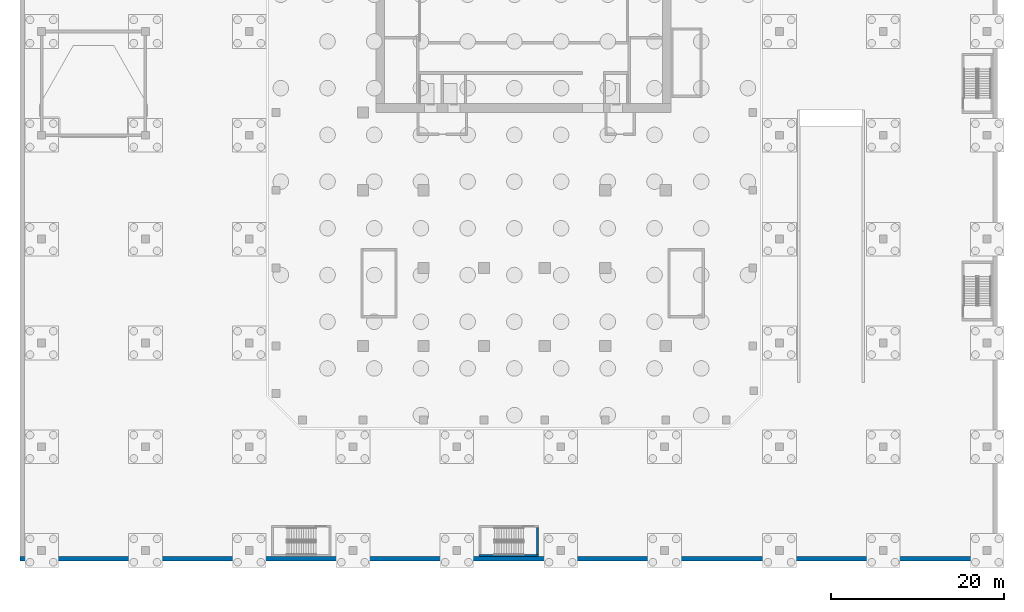
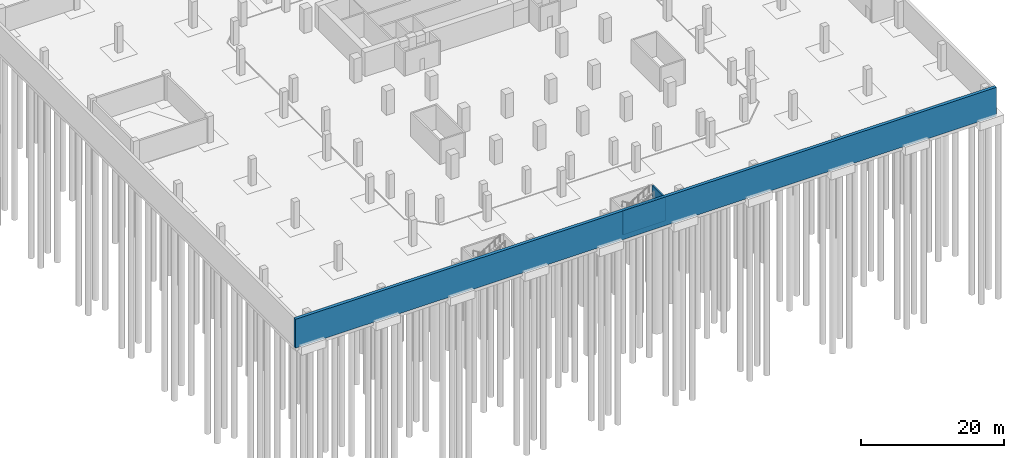
# One storey, part 6 of 15: 3 walls.
"""IFC4 building model written with IfcOpenShell, lengths in metres."""

from ifc_helpers import new_model, si_unit, direction, frame, frame_2d, origin, place, context, subcontext, project, spatial, rectangle, extrude, source, transform, mapped, material, layer, layer_set, type_object, element, save


model = new_model("IFC4")

# Units and contexts
model_context = context("Model", 3, precision=1e-05, world=origin(), true_north=direction((0.0, 1.0)))
body_context = subcontext(model_context, "Body", "Model", "MODEL_VIEW")
ifc_project = project(units=[si_unit("LENGTHUNIT", "METRE"), si_unit("AREAUNIT", "SQUARE_METRE"), si_unit("VOLUMEUNIT", "CUBIC_METRE"), si_unit("PLANEANGLEUNIT", "RADIAN"), si_unit("MASSUNIT", "GRAM", prefix="KILO")], contexts=[model_context])

# Site, building, storey
site_placement = place(None, origin())
site = spatial("IfcSite", under=ifc_project, at=site_placement, CompositionType="ELEMENT")
building_placement = place(site_placement, origin())
building = spatial("IfcBuilding", under=site, at=building_placement, Name="Kilnfold Tower and Market Hall", CompositionType="ELEMENT")
storey_placement = place(building_placement, frame((0.0, 0.0, -9.0)))
storey = spatial("IfcBuildingStorey", under=building, at=storey_placement, Name="B2", CompositionType="ELEMENT", Elevation=-9.0)

# Walls
ifc_material_1 = material(Name="Concrete C40/50", Category="concrete")
ifc_layer_1 = layer(ifc_material_1, 0.5)
ifc_layer_set_1 = layer_set([ifc_layer_1], Name="Concrete C40/50")
wall_type_1 = type_object("IfcWallType", Name="BASEMENT RETAINING WALL 500", PredefinedType="SOLIDWALL", material=ifc_layer_set_1)
shared_shape_1 = source(origin(), body_context, "Body", "SweptSolid", [
    extrude(rectangle(XDim=113.0, YDim=0.5, at=frame_2d((56.5, 0.0))), origin(), (0.0, 0.0, 1.0), 4.89990234375),
])
wall_1_placement = place(storey_placement, frame((-57.14990234375, -43.60009765625, -0.39990234375), z_axis=(0.0, 0.0, 1.0), x_axis=(1.0, 0.0, 0.0)))
element("IfcWall", 1, at=wall_1_placement, inside=storey, type_object=wall_type_1, Name="Retaining wall B2 south", PredefinedType="SOLIDWALL", context=body_context, shape_type="MappedRepresentation", body=[
    mapped(shared_shape_1, transform((0.0, 0.0, 0.0))),
])
ifc_material_2 = material(Name="Concrete C50/60", Category="concrete")
ifc_layer_2 = layer(ifc_material_2, 0.25)
ifc_layer_set_2 = layer_set([ifc_layer_2], Name="Concrete C50/60")
wall_type_2 = type_object("IfcWallType", Name="CAR PARK STAIR WALL 250", PredefinedType="SHEAR", material=ifc_layer_set_2)
shared_shape_2 = source(origin(), body_context, "Body", "SweptSolid", [
    extrude(rectangle(XDim=6.900146484375, YDim=0.25, at=frame_2d((3.4501953125, 0.0))), origin(), (0.0, 0.0, 1.0), 4.10009765625),
])
wall_2_placement = place(storey_placement, frame((-4.10009765625, -43.22509765625, 0.0), z_axis=(0.0, 0.0, 1.0), x_axis=(1.0, 0.0, 0.0)))
element("IfcWall", 2, at=wall_2_placement, inside=storey, type_object=wall_type_2, Name="Stair CS2 wall south", PredefinedType="SHEAR", context=body_context, shape_type="MappedRepresentation", body=[
    mapped(shared_shape_2, transform((0.0, 0.0, 0.0))),
])
shared_shape_3 = source(origin(), body_context, "Body", "SweptSolid", [
    extrude(rectangle(XDim=3.10009765625, YDim=0.25, at=frame_2d((1.550048828125, 0.0))), origin(), (0.0, 0.0, 1.0), 4.10009765625),
])
wall_3_placement = place(storey_placement, frame((2.675048828125, -43.10009765625, 0.0), z_axis=(0.0, 0.0, 1.0), x_axis=(0.0, 1.0, 0.0)))
element("IfcWall", 3, at=wall_3_placement, inside=storey, type_object=wall_type_2, Name="Stair CS2 wall east", PredefinedType="SHEAR", context=body_context, shape_type="MappedRepresentation", body=[
    mapped(shared_shape_3, transform((0.0, 0.0, 0.0))),
])

save(model, "model.ifc")
